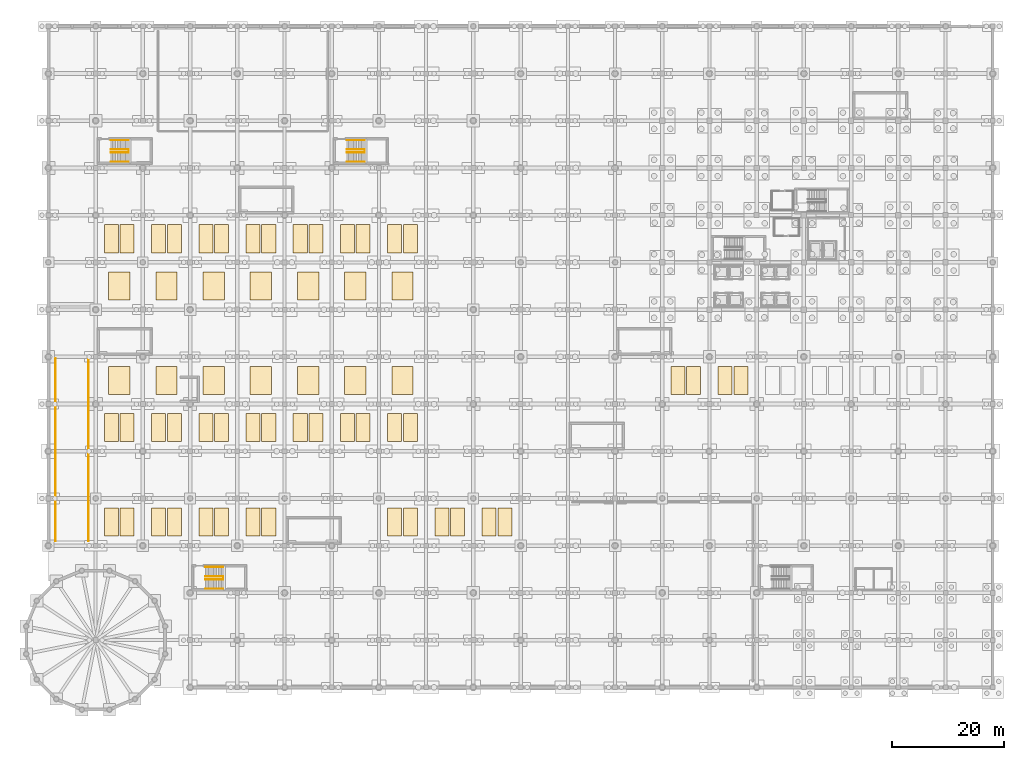
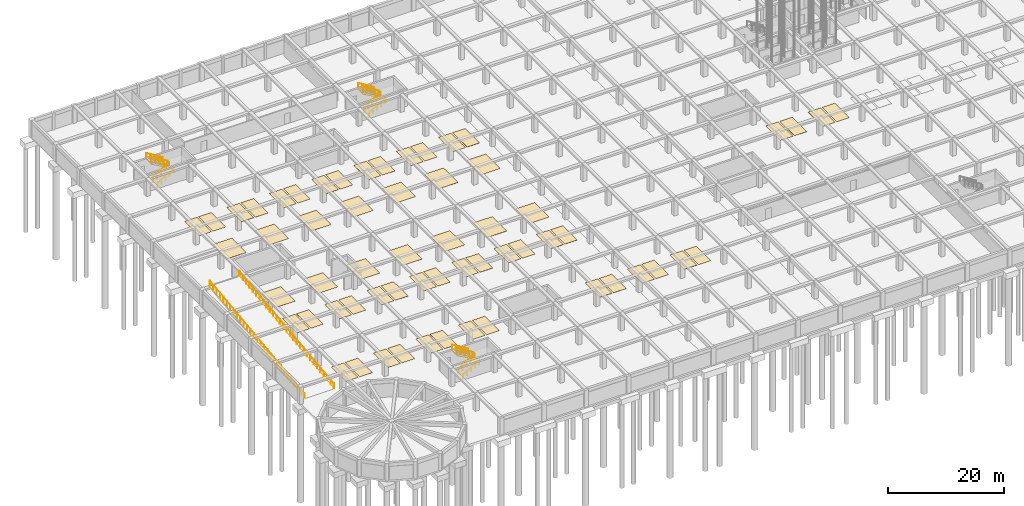
# One storey, part 45 of 47: 60 coverings, 11 railings.
"""IFC4 building model written with IfcOpenShell, lengths in metres."""

from ifc_helpers import new_model, si_unit, direction, frame, origin, origin_2d, place, context, subcontext, project, spatial, rectangle, circle, extrude, material, layer, layer_set, type_object, element, save


model = new_model("IFC4")

# Units and contexts
model_context = context("Model", 3, precision=1e-05, world=origin(), true_north=direction((0.0, 1.0)))
body_context = subcontext(model_context, "Body", "Model", "MODEL_VIEW")
ifc_project = project(units=[si_unit("LENGTHUNIT", "METRE"), si_unit("AREAUNIT", "SQUARE_METRE"), si_unit("VOLUMEUNIT", "CUBIC_METRE"), si_unit("PLANEANGLEUNIT", "RADIAN"), si_unit("MASSUNIT", "GRAM", prefix="KILO")], contexts=[model_context])

# Site, building, storey
site_placement = place(None, origin())
site = spatial("IfcSite", under=ifc_project, at=site_placement, CompositionType="ELEMENT")
building_placement = place(site_placement, origin())
building = spatial("IfcBuilding", under=site, at=building_placement, Name="Almacenes y Pasaje Nevantli", CompositionType="ELEMENT")
storey_placement = place(building_placement, frame((0.0, 0.0, -8.10009765625)))
storey = spatial("IfcBuildingStorey", under=building, at=storey_placement, Name="B02", CompositionType="ELEMENT", Elevation=-8.10009765625)

# Coverings
ifc_material_1 = material(Name="Thermoplastic Accessible Stall Marking", Category="stone")
ifc_layer_1 = layer(ifc_material_1, 0.010009765625)
ifc_layer_set_1 = layer_set([ifc_layer_1], Name="Thermoplastic Accessible Stall Marking")
covering_type_1 = type_object("IfcCoveringType", Name="COV-PARK-ACC", PredefinedType="FLOORING", material=ifc_layer_set_1)
for number, where, z_axis, x_axis, name in (
    (1, (12.60009765625, 54.60009765625, 0.0), (0.0, 0.0, 1.0), (1.0, 0.0, 0.0), "B02 Accessible Parking Bay Marking #1"),
    (2, (21.0, 54.60009765625, 0.0), (0.0, 0.0, 1.0), (1.0, 0.0, 0.0), "B02 Accessible Parking Bay Marking #2"),
    (3, (29.39990234375, 54.60009765625, 0.0), (0.0, 0.0, 1.0), (1.0, 0.0, 0.0), "B02 Accessible Parking Bay Marking #3"),
    (4, (37.800048828125, 54.60009765625, 0.0), (0.0, 0.0, 1.0), (1.0, 0.0, 0.0), "B02 Accessible Parking Bay Marking #4"),
    (5, (46.199951171875, 54.60009765625, 0.0), (0.0, 0.0, 1.0), (1.0, 0.0, 0.0), "B02 Accessible Parking Bay Marking #5"),
    (6, (54.60009765625, 54.60009765625, 0.0), (0.0, 0.0, 1.0), (1.0, 0.0, 0.0), "B02 Accessible Parking Bay Marking #6"),
    (7, (63.0, 54.60009765625, 0.0), (0.0, 0.0, 1.0), (1.0, 0.0, 0.0), "B02 Accessible Parking Bay Marking #7"),
    (8, (12.60009765625, 71.39990234375, 0.0), (0.0, 0.0, 1.0), (1.0, 0.0, 0.0), "B02 Accessible Parking Bay Marking #8"),
    (9, (21.0, 71.39990234375, 0.0), (0.0, 0.0, 1.0), (1.0, 0.0, 0.0), "B02 Accessible Parking Bay Marking #9"),
    (10, (29.39990234375, 71.39990234375, 0.0), (0.0, 0.0, 1.0), (1.0, 0.0, 0.0), "B02 Accessible Parking Bay Marking #10"),
    (11, (37.800048828125, 71.39990234375, 0.0), (0.0, 0.0, 1.0), (1.0, 0.0, 0.0), "B02 Accessible Parking Bay Marking #11"),
    (12, (46.199951171875, 71.39990234375, 0.0), (0.0, 0.0, 1.0), (1.0, 0.0, 0.0), "B02 Accessible Parking Bay Marking #12"),
    (13, (54.60009765625, 71.39990234375, 0.0), (0.0, 0.0, 1.0), (1.0, 0.0, 0.0), "B02 Accessible Parking Bay Marking #13"),
    (14, (63.0, 71.39990234375, 0.0), (0.0, 0.0, 1.0), (1.0, 0.0, 0.0), "B02 Accessible Parking Bay Marking #14"),
):
    element("IfcCovering", number, at=place(storey_placement, frame(where, z_axis=z_axis, x_axis=x_axis)), inside=storey, type_object=covering_type_1, Name=name, PredefinedType="FLOORING", context=body_context, shape_type="SweptSolid", body=[
        extrude(rectangle(XDim=3.800048828125, YDim=5.0, at=origin_2d()), origin(), (0.0, 0.0, 1.0), 0.010009765625),
    ])
ifc_material_2 = material(Name="Thermoplastic Traffic Deck Marking", Category="stone")
ifc_layer_2 = layer(ifc_material_2, 0.010009765625)
ifc_layer_set_2 = layer_set([ifc_layer_2], Name="Thermoplastic Traffic Deck Marking")
covering_type_2 = type_object("IfcCoveringType", Name="COV-PARK-BAY", PredefinedType="FLOORING", material=ifc_layer_set_2)
for number, where, z_axis, x_axis, name in (
    (15, (11.199951171875, 29.39990234375, 0.0), (0.0, 0.0, 1.0), (1.0, 0.0, 0.0), "B02 Underground Parking Bay Marking #1"),
    (16, (14.0, 29.39990234375, 0.0), (0.0, 0.0, 1.0), (1.0, 0.0, 0.0), "B02 Underground Parking Bay Marking #2"),
    (17, (19.60009765625, 29.39990234375, 0.0), (0.0, 0.0, 1.0), (1.0, 0.0, 0.0), "B02 Underground Parking Bay Marking #3"),
    (18, (22.39990234375, 29.39990234375, 0.0), (0.0, 0.0, 1.0), (1.0, 0.0, 0.0), "B02 Underground Parking Bay Marking #4"),
    (19, (28.0, 29.39990234375, 0.0), (0.0, 0.0, 1.0), (1.0, 0.0, 0.0), "B02 Underground Parking Bay Marking #5"),
    (20, (30.800048828125, 29.39990234375, 0.0), (0.0, 0.0, 1.0), (1.0, 0.0, 0.0), "B02 Underground Parking Bay Marking #6"),
    (21, (36.39990234375, 29.39990234375, 0.0), (0.0, 0.0, 1.0), (1.0, 0.0, 0.0), "B02 Underground Parking Bay Marking #7"),
    (22, (39.199951171875, 29.39990234375, 0.0), (0.0, 0.0, 1.0), (1.0, 0.0, 0.0), "B02 Underground Parking Bay Marking #8"),
    (23, (61.60009765625, 29.39990234375, 0.0), (0.0, 0.0, 1.0), (1.0, 0.0, 0.0), "B02 Underground Parking Bay Marking #9"),
    (24, (64.39990234375, 29.39990234375, 0.0), (0.0, 0.0, 1.0), (1.0, 0.0, 0.0), "B02 Underground Parking Bay Marking #10"),
    (25, (70.0, 29.39990234375, 0.0), (0.0, 0.0, 1.0), (1.0, 0.0, 0.0), "B02 Underground Parking Bay Marking #11"),
    (26, (72.800048828125, 29.39990234375, 0.0), (0.0, 0.0, 1.0), (1.0, 0.0, 0.0), "B02 Underground Parking Bay Marking #12"),
    (27, (78.39990234375, 29.39990234375, 0.0), (0.0, 0.0, 1.0), (1.0, 0.0, 0.0), "B02 Underground Parking Bay Marking #13"),
    (28, (81.199951171875, 29.39990234375, 0.0), (0.0, 0.0, 1.0), (1.0, 0.0, 0.0), "B02 Underground Parking Bay Marking #14"),
    (29, (11.199951171875, 46.199951171875, 0.0), (0.0, 0.0, 1.0), (1.0, 0.0, 0.0), "B02 Underground Parking Bay Marking #15"),
    (30, (14.0, 46.199951171875, 0.0), (0.0, 0.0, 1.0), (1.0, 0.0, 0.0), "B02 Underground Parking Bay Marking #16"),
    (31, (19.60009765625, 46.199951171875, 0.0), (0.0, 0.0, 1.0), (1.0, 0.0, 0.0), "B02 Underground Parking Bay Marking #17"),
    (32, (22.39990234375, 46.199951171875, 0.0), (0.0, 0.0, 1.0), (1.0, 0.0, 0.0), "B02 Underground Parking Bay Marking #18"),
    (33, (28.0, 46.199951171875, 0.0), (0.0, 0.0, 1.0), (1.0, 0.0, 0.0), "B02 Underground Parking Bay Marking #19"),
    (34, (30.800048828125, 46.199951171875, 0.0), (0.0, 0.0, 1.0), (1.0, 0.0, 0.0), "B02 Underground Parking Bay Marking #20"),
    (35, (36.39990234375, 46.199951171875, 0.0), (0.0, 0.0, 1.0), (1.0, 0.0, 0.0), "B02 Underground Parking Bay Marking #21"),
    (36, (39.199951171875, 46.199951171875, 0.0), (0.0, 0.0, 1.0), (1.0, 0.0, 0.0), "B02 Underground Parking Bay Marking #22"),
    (37, (44.800048828125, 46.199951171875, 0.0), (0.0, 0.0, 1.0), (1.0, 0.0, 0.0), "B02 Underground Parking Bay Marking #23"),
    (38, (47.60009765625, 46.199951171875, 0.0), (0.0, 0.0, 1.0), (1.0, 0.0, 0.0), "B02 Underground Parking Bay Marking #24"),
    (39, (53.199951171875, 46.199951171875, 0.0), (0.0, 0.0, 1.0), (1.0, 0.0, 0.0), "B02 Underground Parking Bay Marking #25"),
    (40, (56.0, 46.199951171875, 0.0), (0.0, 0.0, 1.0), (1.0, 0.0, 0.0), "B02 Underground Parking Bay Marking #26"),
    (41, (61.60009765625, 46.199951171875, 0.0), (0.0, 0.0, 1.0), (1.0, 0.0, 0.0), "B02 Underground Parking Bay Marking #27"),
    (42, (64.39990234375, 46.199951171875, 0.0), (0.0, 0.0, 1.0), (1.0, 0.0, 0.0), "B02 Underground Parking Bay Marking #28"),
    (43, (11.199951171875, 79.800048828125, 0.0), (0.0, 0.0, 1.0), (1.0, 0.0, 0.0), "B02 Underground Parking Bay Marking #29"),
    (44, (14.0, 79.800048828125, 0.0), (0.0, 0.0, 1.0), (1.0, 0.0, 0.0), "B02 Underground Parking Bay Marking #30"),
    (45, (19.60009765625, 79.800048828125, 0.0), (0.0, 0.0, 1.0), (1.0, 0.0, 0.0), "B02 Underground Parking Bay Marking #31"),
    (46, (22.39990234375, 79.800048828125, 0.0), (0.0, 0.0, 1.0), (1.0, 0.0, 0.0), "B02 Underground Parking Bay Marking #32"),
    (47, (28.0, 79.800048828125, 0.0), (0.0, 0.0, 1.0), (1.0, 0.0, 0.0), "B02 Underground Parking Bay Marking #33"),
    (48, (30.800048828125, 79.800048828125, 0.0), (0.0, 0.0, 1.0), (1.0, 0.0, 0.0), "B02 Underground Parking Bay Marking #34"),
    (49, (36.39990234375, 79.800048828125, 0.0), (0.0, 0.0, 1.0), (1.0, 0.0, 0.0), "B02 Underground Parking Bay Marking #35"),
    (50, (39.199951171875, 79.800048828125, 0.0), (0.0, 0.0, 1.0), (1.0, 0.0, 0.0), "B02 Underground Parking Bay Marking #36"),
    (51, (44.800048828125, 79.800048828125, 0.0), (0.0, 0.0, 1.0), (1.0, 0.0, 0.0), "B02 Underground Parking Bay Marking #37"),
    (52, (47.60009765625, 79.800048828125, 0.0), (0.0, 0.0, 1.0), (1.0, 0.0, 0.0), "B02 Underground Parking Bay Marking #38"),
    (53, (53.199951171875, 79.800048828125, 0.0), (0.0, 0.0, 1.0), (1.0, 0.0, 0.0), "B02 Underground Parking Bay Marking #39"),
    (54, (56.0, 79.800048828125, 0.0), (0.0, 0.0, 1.0), (1.0, 0.0, 0.0), "B02 Underground Parking Bay Marking #40"),
    (55, (61.60009765625, 79.800048828125, 0.0), (0.0, 0.0, 1.0), (1.0, 0.0, 0.0), "B02 Underground Parking Bay Marking #41"),
    (56, (64.39990234375, 79.800048828125, 0.0), (0.0, 0.0, 1.0), (1.0, 0.0, 0.0), "B02 Underground Parking Bay Marking #42"),
    (57, (112.0, 54.60009765625, 0.0), (0.0, 0.0, 1.0), (1.0, 0.0, 0.0), "B02 Underground Parking Bay Marking #43"),
    (58, (114.800048828125, 54.60009765625, 0.0), (0.0, 0.0, 1.0), (1.0, 0.0, 0.0), "B02 Underground Parking Bay Marking #44"),
    (59, (120.39990234375, 54.60009765625, 0.0), (0.0, 0.0, 1.0), (1.0, 0.0, 0.0), "B02 Underground Parking Bay Marking #45"),
    (60, (123.199951171875, 54.60009765625, 0.0), (0.0, 0.0, 1.0), (1.0, 0.0, 0.0), "B02 Underground Parking Bay Marking #46"),
):
    element("IfcCovering", number, at=place(storey_placement, frame(where, z_axis=z_axis, x_axis=x_axis)), inside=storey, type_object=covering_type_2, Name=name, PredefinedType="FLOORING", context=body_context, shape_type="SweptSolid", body=[
        extrude(rectangle(XDim=2.5, YDim=5.0, at=origin_2d()), origin(), (0.0, 0.0, 1.0), 0.010009765625),
    ])

# Railings
ifc_material_3 = material(Name="Brushed Stainless Steel and Tempered Safety Glass", Category="steel")
railing_type_1 = type_object("IfcRailingType", Name="RL-GUARD-1100", PredefinedType="BALUSTRADE", material=ifc_material_3)
railing_1_placement = place(storey_placement, frame((11.10009765625, 95.159912109375, 0.0)))
element("IfcRailing", 61, at=railing_1_placement, inside=storey, type_object=railing_type_1, Name="B02 Stair ST-03 Inner Well Guard Balustrade", PredefinedType="BALUSTRADE", context=body_context, shape_type="SweptSolid", body=[
    extrude(circle(Radius=0.02392578125, at=origin_2d()), frame((0.025634765625, 0.0, 1.1416015625), z_axis=(0.853188201146, 0.0, 0.521603195374), x_axis=(0.0, 1.0, 0.0)), (0.0, 0.0, 1.0), 3.678955078125),
    extrude(circle(Radius=0.02392578125, at=origin_2d()), frame((3.18994140625, 0.030029296875, 3.076171875), z_axis=(0.0, 1.0, 0.0), x_axis=(-1.0, 0.0, 0.0)), (0.0, 0.0, 1.0), 0.469970703125),
    extrude(circle(Radius=0.02392578125, at=origin_2d()), frame((3.164306640625, 0.530029296875, 3.091796875), z_axis=(-0.853217260254, 0.0, 0.521555660313), x_axis=(0.0, -1.0, 0.0)), (0.0, 0.0, 1.0), 3.6787109375),
    extrude(circle(Radius=0.02099609375, at=origin_2d()), origin(), (0.0, 0.0, 1.0), 1.096923828125),
    extrude(circle(Radius=0.02099609375, at=origin_2d()), frame((0.79736328125, 0.0, 0.487548828125)), (0.0, 0.0, 1.0), 1.096923828125),
    extrude(circle(Radius=0.02099609375, at=origin_2d()), frame((1.594970703125, 0.0, 0.97509765625)), (0.0, 0.0, 1.0), 1.096923828125),
    extrude(circle(Radius=0.02099609375, at=origin_2d()), frame((2.392578125, 0.0, 1.462646484375)), (0.0, 0.0, 1.0), 1.096923828125),
    extrude(circle(Radius=0.02099609375, at=origin_2d()), frame((3.18994140625, 0.0, 1.9501953125)), (0.0, 0.0, 1.0), 1.096923828125),
    extrude(circle(Radius=0.02099609375, at=origin_2d()), frame((3.18994140625, 0.530029296875, 1.9501953125)), (0.0, 0.0, 1.0), 1.096923828125),
    extrude(circle(Radius=0.02099609375, at=origin_2d()), frame((2.392578125, 0.530029296875, 2.437744140625)), (0.0, 0.0, 1.0), 1.096923828125),
    extrude(circle(Radius=0.02099609375, at=origin_2d()), frame((1.594970703125, 0.530029296875, 2.92529296875)), (0.0, 0.0, 1.0), 1.096923828125),
    extrude(circle(Radius=0.02099609375, at=origin_2d()), frame((0.79736328125, 0.530029296875, 3.41259765625)), (0.0, 0.0, 1.0), 1.096923828125),
    extrude(circle(Radius=0.02099609375, at=origin_2d()), frame((0.0, 0.530029296875, 3.900146484375)), (0.0, 0.0, 1.0), 1.096923828125),
])
railing_2_placement = place(storey_placement, frame((27.89990234375, 19.2099609375, 0.0)))
element("IfcRailing", 62, at=railing_2_placement, inside=storey, type_object=railing_type_1, Name="B02 Stair ST-04 Inner Well Guard Balustrade", PredefinedType="BALUSTRADE", context=body_context, shape_type="SweptSolid", body=[
    extrude(circle(Radius=0.02392578125, at=origin_2d()), frame((0.025634765625, 0.0, 1.1416015625), z_axis=(0.853205965376, 0.0, 0.521574137248), x_axis=(0.0, 1.0, 0.0)), (0.0, 0.0, 1.0), 3.678955078125),
    extrude(circle(Radius=0.02392578125, at=origin_2d()), frame((3.190185546875, 0.030029296875, 3.076171875), z_axis=(0.0, 1.0, 0.0), x_axis=(-1.0, 0.0, 0.0)), (0.0, 0.0, 1.0), 0.469970703125),
    extrude(circle(Radius=0.02392578125, at=origin_2d()), frame((3.16455078125, 0.530029296875, 3.091796875), z_axis=(-0.853235021851, 0.0, 0.521526602856), x_axis=(0.0, -1.0, 0.0)), (0.0, 0.0, 1.0), 3.678955078125),
    extrude(circle(Radius=0.02099609375, at=origin_2d()), origin(), (0.0, 0.0, 1.0), 1.096923828125),
    extrude(circle(Radius=0.02099609375, at=origin_2d()), frame((0.797607421875, 0.0, 0.487548828125)), (0.0, 0.0, 1.0), 1.096923828125),
    extrude(circle(Radius=0.02099609375, at=origin_2d()), frame((1.59521484375, 0.0, 0.97509765625)), (0.0, 0.0, 1.0), 1.096923828125),
    extrude(circle(Radius=0.02099609375, at=origin_2d()), frame((2.392578125, 0.0, 1.462646484375)), (0.0, 0.0, 1.0), 1.096923828125),
    extrude(circle(Radius=0.02099609375, at=origin_2d()), frame((3.190185546875, 0.0, 1.9501953125)), (0.0, 0.0, 1.0), 1.096923828125),
    extrude(circle(Radius=0.02099609375, at=origin_2d()), frame((3.190185546875, 0.530029296875, 1.9501953125)), (0.0, 0.0, 1.0), 1.096923828125),
    extrude(circle(Radius=0.02099609375, at=origin_2d()), frame((2.392578125, 0.530029296875, 2.437744140625)), (0.0, 0.0, 1.0), 1.096923828125),
    extrude(circle(Radius=0.02099609375, at=origin_2d()), frame((1.59521484375, 0.530029296875, 2.92529296875)), (0.0, 0.0, 1.0), 1.096923828125),
    extrude(circle(Radius=0.02099609375, at=origin_2d()), frame((0.797607421875, 0.530029296875, 3.41259765625)), (0.0, 0.0, 1.0), 1.096923828125),
    extrude(circle(Radius=0.02099609375, at=origin_2d()), frame((0.0, 0.530029296875, 3.900146484375)), (0.0, 0.0, 1.0), 1.096923828125),
])
railing_3_placement = place(storey_placement, frame((53.10009765625, 95.159912109375, 0.0)))
element("IfcRailing", 63, at=railing_3_placement, inside=storey, type_object=railing_type_1, Name="B02 Stair ST-05 Inner Well Guard Balustrade", PredefinedType="BALUSTRADE", context=body_context, shape_type="SweptSolid", body=[
    extrude(circle(Radius=0.02392578125, at=origin_2d()), frame((0.025634765625, 0.0, 1.1416015625), z_axis=(0.853188201146, 0.0, 0.521603195374), x_axis=(0.0, 1.0, 0.0)), (0.0, 0.0, 1.0), 3.678955078125),
    extrude(circle(Radius=0.02392578125, at=origin_2d()), frame((3.18994140625, 0.030029296875, 3.076171875), z_axis=(0.0, 1.0, 0.0), x_axis=(-1.0, 0.0, 0.0)), (0.0, 0.0, 1.0), 0.469970703125),
    extrude(circle(Radius=0.02392578125, at=origin_2d()), frame((3.164306640625, 0.530029296875, 3.091796875), z_axis=(-0.853217260254, 0.0, 0.521555660313), x_axis=(0.0, -1.0, 0.0)), (0.0, 0.0, 1.0), 3.6787109375),
    extrude(circle(Radius=0.02099609375, at=origin_2d()), origin(), (0.0, 0.0, 1.0), 1.096923828125),
    extrude(circle(Radius=0.02099609375, at=origin_2d()), frame((0.79736328125, 0.0, 0.487548828125)), (0.0, 0.0, 1.0), 1.096923828125),
    extrude(circle(Radius=0.02099609375, at=origin_2d()), frame((1.594970703125, 0.0, 0.97509765625)), (0.0, 0.0, 1.0), 1.096923828125),
    extrude(circle(Radius=0.02099609375, at=origin_2d()), frame((2.392578125, 0.0, 1.462646484375)), (0.0, 0.0, 1.0), 1.096923828125),
    extrude(circle(Radius=0.02099609375, at=origin_2d()), frame((3.18994140625, 0.0, 1.9501953125)), (0.0, 0.0, 1.0), 1.096923828125),
    extrude(circle(Radius=0.02099609375, at=origin_2d()), frame((3.18994140625, 0.530029296875, 1.9501953125)), (0.0, 0.0, 1.0), 1.096923828125),
    extrude(circle(Radius=0.02099609375, at=origin_2d()), frame((2.392578125, 0.530029296875, 2.437744140625)), (0.0, 0.0, 1.0), 1.096923828125),
    extrude(circle(Radius=0.02099609375, at=origin_2d()), frame((1.594970703125, 0.530029296875, 2.92529296875)), (0.0, 0.0, 1.0), 1.096923828125),
    extrude(circle(Radius=0.02099609375, at=origin_2d()), frame((0.79736328125, 0.530029296875, 3.41259765625)), (0.0, 0.0, 1.0), 1.096923828125),
    extrude(circle(Radius=0.02099609375, at=origin_2d()), frame((0.0, 0.530029296875, 3.900146484375)), (0.0, 0.0, 1.0), 1.096923828125),
])
railing_4_placement = place(storey_placement, frame((1.280029296875, 26.0, 0.0)))
element("IfcRailing", 64, at=railing_4_placement, inside=storey, type_object=railing_type_1, Name="B02 Vehicular Ramp RP-01 West Curb Guard", PredefinedType="BALUSTRADE", context=body_context, shape_type="SweptSolid", body=[
    extrude(circle(Radius=0.02392578125, at=origin_2d()), frame((0.0, 0.02978515625, 1.12939453125), z_axis=(0.0, 0.992876309088, 0.119149632194), x_axis=(-1.0, 0.0, 0.0)), (0.0, 0.0, 1.0), 32.673095703125),
    extrude(circle(Radius=0.02099609375, at=origin_2d()), origin(), (0.0, 0.0, 1.0), 1.096923828125),
    extrude(circle(Radius=0.02099609375, at=origin_2d()), frame((0.0, 1.16064453125, 0.139404296875)), (0.0, 0.0, 1.0), 1.096923828125),
    extrude(circle(Radius=0.02099609375, at=origin_2d()), frame((0.0, 2.321533203125, 0.278564453125)), (0.0, 0.0, 1.0), 1.096923828125),
    extrude(circle(Radius=0.02099609375, at=origin_2d()), frame((0.0, 3.482177734375, 0.41796875)), (0.0, 0.0, 1.0), 1.096923828125),
    extrude(circle(Radius=0.02099609375, at=origin_2d()), frame((0.0, 4.642822265625, 0.55712890625)), (0.0, 0.0, 1.0), 1.096923828125),
    extrude(circle(Radius=0.02099609375, at=origin_2d()), frame((0.0, 5.803466796875, 0.696533203125)), (0.0, 0.0, 1.0), 1.096923828125),
    extrude(circle(Radius=0.02099609375, at=origin_2d()), frame((0.0, 6.96435546875, 0.835693359375)), (0.0, 0.0, 1.0), 1.096923828125),
    extrude(circle(Radius=0.02099609375, at=origin_2d()), frame((0.0, 8.125, 0.97509765625)), (0.0, 0.0, 1.0), 1.096923828125),
    extrude(circle(Radius=0.02099609375, at=origin_2d()), frame((0.0, 9.28564453125, 1.1142578125)), (0.0, 0.0, 1.0), 1.096923828125),
    extrude(circle(Radius=0.02099609375, at=origin_2d()), frame((0.0, 10.446533203125, 1.253662109375)), (0.0, 0.0, 1.0), 1.096923828125),
    extrude(circle(Radius=0.02099609375, at=origin_2d()), frame((0.0, 11.607177734375, 1.392822265625)), (0.0, 0.0, 1.0), 1.096923828125),
    extrude(circle(Radius=0.02099609375, at=origin_2d()), frame((0.0, 12.767822265625, 1.5322265625)), (0.0, 0.0, 1.0), 1.096923828125),
    extrude(circle(Radius=0.02099609375, at=origin_2d()), frame((0.0, 13.928466796875, 1.67138671875)), (0.0, 0.0, 1.0), 1.096923828125),
    extrude(circle(Radius=0.02099609375, at=origin_2d()), frame((0.0, 15.08935546875, 1.810791015625)), (0.0, 0.0, 1.0), 1.096923828125),
    extrude(circle(Radius=0.02099609375, at=origin_2d()), frame((0.0, 16.25, 1.9501953125)), (0.0, 0.0, 1.0), 1.096923828125),
    extrude(circle(Radius=0.02099609375, at=origin_2d()), frame((0.0, 17.41064453125, 2.08935546875)), (0.0, 0.0, 1.0), 1.096923828125),
    extrude(circle(Radius=0.02099609375, at=origin_2d()), frame((0.0, 18.571533203125, 2.228759765625)), (0.0, 0.0, 1.0), 1.096923828125),
    extrude(circle(Radius=0.02099609375, at=origin_2d()), frame((0.0, 19.732177734375, 2.367919921875)), (0.0, 0.0, 1.0), 1.096923828125),
    extrude(circle(Radius=0.02099609375, at=origin_2d()), frame((0.0, 20.892822265625, 2.50732421875)), (0.0, 0.0, 1.0), 1.096923828125),
    extrude(circle(Radius=0.02099609375, at=origin_2d()), frame((0.0, 22.053466796875, 2.646484375)), (0.0, 0.0, 1.0), 1.096923828125),
    extrude(circle(Radius=0.02099609375, at=origin_2d()), frame((0.0, 23.21435546875, 2.785888671875)), (0.0, 0.0, 1.0), 1.096923828125),
    extrude(circle(Radius=0.02099609375, at=origin_2d()), frame((0.0, 24.375, 2.925048828125)), (0.0, 0.0, 1.0), 1.096923828125),
    extrude(circle(Radius=0.02099609375, at=origin_2d()), frame((0.0, 25.53564453125, 3.064453125)), (0.0, 0.0, 1.0), 1.096923828125),
    extrude(circle(Radius=0.02099609375, at=origin_2d()), frame((0.0, 26.696533203125, 3.20361328125)), (0.0, 0.0, 1.0), 1.096923828125),
    extrude(circle(Radius=0.02099609375, at=origin_2d()), frame((0.0, 27.857177734375, 3.343017578125)), (0.0, 0.0, 1.0), 1.096923828125),
    extrude(circle(Radius=0.02099609375, at=origin_2d()), frame((0.0, 29.017822265625, 3.482177734375)), (0.0, 0.0, 1.0), 1.096923828125),
    extrude(circle(Radius=0.02099609375, at=origin_2d()), frame((0.0, 30.178466796875, 3.62158203125)), (0.0, 0.0, 1.0), 1.096923828125),
    extrude(circle(Radius=0.02099609375, at=origin_2d()), frame((0.0, 31.33935546875, 3.7607421875)), (0.0, 0.0, 1.0), 1.096923828125),
    extrude(circle(Radius=0.02099609375, at=origin_2d()), frame((0.0, 32.5, 3.900146484375)), (0.0, 0.0, 1.0), 1.096923828125),
])
railing_5_placement = place(storey_placement, frame((7.1201171875, 26.0, 0.0)))
element("IfcRailing", 65, at=railing_5_placement, inside=storey, type_object=railing_type_1, Name="B02 Vehicular Ramp RP-01 East Curb Guard", PredefinedType="BALUSTRADE", context=body_context, shape_type="SweptSolid", body=[
    extrude(circle(Radius=0.02392578125, at=origin_2d()), frame((0.0, 0.02978515625, 1.12939453125), z_axis=(0.0, 0.992876309088, 0.119149632194), x_axis=(-1.0, 0.0, 0.0)), (0.0, 0.0, 1.0), 32.673095703125),
    extrude(circle(Radius=0.02099609375, at=origin_2d()), origin(), (0.0, 0.0, 1.0), 1.096923828125),
    extrude(circle(Radius=0.02099609375, at=origin_2d()), frame((0.0, 1.16064453125, 0.139404296875)), (0.0, 0.0, 1.0), 1.096923828125),
    extrude(circle(Radius=0.02099609375, at=origin_2d()), frame((0.0, 2.321533203125, 0.278564453125)), (0.0, 0.0, 1.0), 1.096923828125),
    extrude(circle(Radius=0.02099609375, at=origin_2d()), frame((0.0, 3.482177734375, 0.41796875)), (0.0, 0.0, 1.0), 1.096923828125),
    extrude(circle(Radius=0.02099609375, at=origin_2d()), frame((0.0, 4.642822265625, 0.55712890625)), (0.0, 0.0, 1.0), 1.096923828125),
    extrude(circle(Radius=0.02099609375, at=origin_2d()), frame((0.0, 5.803466796875, 0.696533203125)), (0.0, 0.0, 1.0), 1.096923828125),
    extrude(circle(Radius=0.02099609375, at=origin_2d()), frame((0.0, 6.96435546875, 0.835693359375)), (0.0, 0.0, 1.0), 1.096923828125),
    extrude(circle(Radius=0.02099609375, at=origin_2d()), frame((0.0, 8.125, 0.97509765625)), (0.0, 0.0, 1.0), 1.096923828125),
    extrude(circle(Radius=0.02099609375, at=origin_2d()), frame((0.0, 9.28564453125, 1.1142578125)), (0.0, 0.0, 1.0), 1.096923828125),
    extrude(circle(Radius=0.02099609375, at=origin_2d()), frame((0.0, 10.446533203125, 1.253662109375)), (0.0, 0.0, 1.0), 1.096923828125),
    extrude(circle(Radius=0.02099609375, at=origin_2d()), frame((0.0, 11.607177734375, 1.392822265625)), (0.0, 0.0, 1.0), 1.096923828125),
    extrude(circle(Radius=0.02099609375, at=origin_2d()), frame((0.0, 12.767822265625, 1.5322265625)), (0.0, 0.0, 1.0), 1.096923828125),
    extrude(circle(Radius=0.02099609375, at=origin_2d()), frame((0.0, 13.928466796875, 1.67138671875)), (0.0, 0.0, 1.0), 1.096923828125),
    extrude(circle(Radius=0.02099609375, at=origin_2d()), frame((0.0, 15.08935546875, 1.810791015625)), (0.0, 0.0, 1.0), 1.096923828125),
    extrude(circle(Radius=0.02099609375, at=origin_2d()), frame((0.0, 16.25, 1.9501953125)), (0.0, 0.0, 1.0), 1.096923828125),
    extrude(circle(Radius=0.02099609375, at=origin_2d()), frame((0.0, 17.41064453125, 2.08935546875)), (0.0, 0.0, 1.0), 1.096923828125),
    extrude(circle(Radius=0.02099609375, at=origin_2d()), frame((0.0, 18.571533203125, 2.228759765625)), (0.0, 0.0, 1.0), 1.096923828125),
    extrude(circle(Radius=0.02099609375, at=origin_2d()), frame((0.0, 19.732177734375, 2.367919921875)), (0.0, 0.0, 1.0), 1.096923828125),
    extrude(circle(Radius=0.02099609375, at=origin_2d()), frame((0.0, 20.892822265625, 2.50732421875)), (0.0, 0.0, 1.0), 1.096923828125),
    extrude(circle(Radius=0.02099609375, at=origin_2d()), frame((0.0, 22.053466796875, 2.646484375)), (0.0, 0.0, 1.0), 1.096923828125),
    extrude(circle(Radius=0.02099609375, at=origin_2d()), frame((0.0, 23.21435546875, 2.785888671875)), (0.0, 0.0, 1.0), 1.096923828125),
    extrude(circle(Radius=0.02099609375, at=origin_2d()), frame((0.0, 24.375, 2.925048828125)), (0.0, 0.0, 1.0), 1.096923828125),
    extrude(circle(Radius=0.02099609375, at=origin_2d()), frame((0.0, 25.53564453125, 3.064453125)), (0.0, 0.0, 1.0), 1.096923828125),
    extrude(circle(Radius=0.02099609375, at=origin_2d()), frame((0.0, 26.696533203125, 3.20361328125)), (0.0, 0.0, 1.0), 1.096923828125),
    extrude(circle(Radius=0.02099609375, at=origin_2d()), frame((0.0, 27.857177734375, 3.343017578125)), (0.0, 0.0, 1.0), 1.096923828125),
    extrude(circle(Radius=0.02099609375, at=origin_2d()), frame((0.0, 29.017822265625, 3.482177734375)), (0.0, 0.0, 1.0), 1.096923828125),
    extrude(circle(Radius=0.02099609375, at=origin_2d()), frame((0.0, 30.178466796875, 3.62158203125)), (0.0, 0.0, 1.0), 1.096923828125),
    extrude(circle(Radius=0.02099609375, at=origin_2d()), frame((0.0, 31.33935546875, 3.7607421875)), (0.0, 0.0, 1.0), 1.096923828125),
    extrude(circle(Radius=0.02099609375, at=origin_2d()), frame((0.0, 32.5, 3.900146484375)), (0.0, 0.0, 1.0), 1.096923828125),
])
ifc_material_4 = material(Name="Brushed Stainless Steel Tube", Category="steel")
railing_type_2 = type_object("IfcRailingType", Name="RL-HANDRAIL-900", PredefinedType="HANDRAIL", material=ifc_material_4)
railing_6_placement = place(storey_placement, frame((11.10009765625, 93.510009765625, 0.0)))
element("IfcRailing", 66, at=railing_6_placement, inside=storey, type_object=railing_type_2, Name="B02 Stair ST-03 Lower Flight Handrail", PredefinedType="HANDRAIL", context=body_context, shape_type="SweptSolid", body=[
    extrude(circle(Radius=0.02392578125, at=origin_2d()), frame((0.025634765625, 0.0, 0.8916015625), z_axis=(0.853188201146, 0.0, 0.521603195374), x_axis=(0.0, 1.0, 0.0)), (0.0, 0.0, 1.0), 3.678955078125),
    extrude(circle(Radius=0.02099609375, at=origin_2d()), origin(), (0.0, 0.0, 1.0), 0.846923828125),
    extrude(circle(Radius=0.02099609375, at=origin_2d()), frame((0.79736328125, 0.0, 0.487548828125)), (0.0, 0.0, 1.0), 0.846923828125),
    extrude(circle(Radius=0.02099609375, at=origin_2d()), frame((1.594970703125, 0.0, 0.97509765625)), (0.0, 0.0, 1.0), 0.846923828125),
    extrude(circle(Radius=0.02099609375, at=origin_2d()), frame((2.392578125, 0.0, 1.462646484375)), (0.0, 0.0, 1.0), 0.846923828125),
    extrude(circle(Radius=0.02099609375, at=origin_2d()), frame((3.18994140625, 0.0, 1.9501953125)), (0.0, 0.0, 1.0), 0.846923828125),
])
railing_7_placement = place(storey_placement, frame((14.2900390625, 97.340087890625, 1.9501953125)))
element("IfcRailing", 67, at=railing_7_placement, inside=storey, type_object=railing_type_2, Name="B02 Stair ST-03 Upper Flight Handrail", PredefinedType="HANDRAIL", context=body_context, shape_type="SweptSolid", body=[
    extrude(circle(Radius=0.02392578125, at=origin_2d()), frame((-0.025634765625, 0.0, 0.8916015625), z_axis=(-0.853217260254, 0.0, 0.521555660313), x_axis=(0.0, -1.0, 0.0)), (0.0, 0.0, 1.0), 3.6787109375),
    extrude(circle(Radius=0.02099609375, at=origin_2d()), origin(), (0.0, 0.0, 1.0), 0.846923828125),
    extrude(circle(Radius=0.02099609375, at=origin_2d()), frame((-0.79736328125, 0.0, 0.487548828125)), (0.0, 0.0, 1.0), 0.846923828125),
    extrude(circle(Radius=0.02099609375, at=origin_2d()), frame((-1.594970703125, 0.0, 0.97509765625)), (0.0, 0.0, 1.0), 0.846923828125),
    extrude(circle(Radius=0.02099609375, at=origin_2d()), frame((-2.392578125, 0.0, 1.46240234375)), (0.0, 0.0, 1.0), 0.846923828125),
    extrude(circle(Radius=0.02099609375, at=origin_2d()), frame((-3.18994140625, 0.0, 1.949951171875)), (0.0, 0.0, 1.0), 0.846923828125),
])
railing_8_placement = place(storey_placement, frame((27.89990234375, 17.56005859375, 0.0)))
element("IfcRailing", 68, at=railing_8_placement, inside=storey, type_object=railing_type_2, Name="B02 Stair ST-04 Lower Flight Handrail", PredefinedType="HANDRAIL", context=body_context, shape_type="SweptSolid", body=[
    extrude(circle(Radius=0.02392578125, at=origin_2d()), frame((0.025634765625, 0.0, 0.8916015625), z_axis=(0.853205965376, 0.0, 0.521574137248), x_axis=(0.0, 1.0, 0.0)), (0.0, 0.0, 1.0), 3.678955078125),
    extrude(circle(Radius=0.02099609375, at=origin_2d()), origin(), (0.0, 0.0, 1.0), 0.846923828125),
    extrude(circle(Radius=0.02099609375, at=origin_2d()), frame((0.797607421875, 0.0, 0.487548828125)), (0.0, 0.0, 1.0), 0.846923828125),
    extrude(circle(Radius=0.02099609375, at=origin_2d()), frame((1.59521484375, 0.0, 0.97509765625)), (0.0, 0.0, 1.0), 0.846923828125),
    extrude(circle(Radius=0.02099609375, at=origin_2d()), frame((2.392578125, 0.0, 1.462646484375)), (0.0, 0.0, 1.0), 0.846923828125),
    extrude(circle(Radius=0.02099609375, at=origin_2d()), frame((3.190185546875, 0.0, 1.9501953125)), (0.0, 0.0, 1.0), 0.846923828125),
])
railing_9_placement = place(storey_placement, frame((31.090087890625, 21.389892578125, 1.9501953125)))
element("IfcRailing", 69, at=railing_9_placement, inside=storey, type_object=railing_type_2, Name="B02 Stair ST-04 Upper Flight Handrail", PredefinedType="HANDRAIL", context=body_context, shape_type="SweptSolid", body=[
    extrude(circle(Radius=0.02392578125, at=origin_2d()), frame((-0.025634765625, 0.0, 0.8916015625), z_axis=(-0.853235021851, 0.0, 0.521526602856), x_axis=(0.0, -1.0, 0.0)), (0.0, 0.0, 1.0), 3.678955078125),
    extrude(circle(Radius=0.02099609375, at=origin_2d()), origin(), (0.0, 0.0, 1.0), 0.846923828125),
    extrude(circle(Radius=0.02099609375, at=origin_2d()), frame((-0.797607421875, 0.0, 0.487548828125)), (0.0, 0.0, 1.0), 0.846923828125),
    extrude(circle(Radius=0.02099609375, at=origin_2d()), frame((-1.59521484375, 0.0, 0.97509765625)), (0.0, 0.0, 1.0), 0.846923828125),
    extrude(circle(Radius=0.02099609375, at=origin_2d()), frame((-2.392578125, 0.0, 1.46240234375)), (0.0, 0.0, 1.0), 0.846923828125),
    extrude(circle(Radius=0.02099609375, at=origin_2d()), frame((-3.190185546875, 0.0, 1.949951171875)), (0.0, 0.0, 1.0), 0.846923828125),
])
railing_10_placement = place(storey_placement, frame((53.10009765625, 93.510009765625, 0.0)))
element("IfcRailing", 70, at=railing_10_placement, inside=storey, type_object=railing_type_2, Name="B02 Stair ST-05 Lower Flight Handrail", PredefinedType="HANDRAIL", context=body_context, shape_type="SweptSolid", body=[
    extrude(circle(Radius=0.02392578125, at=origin_2d()), frame((0.025634765625, 0.0, 0.8916015625), z_axis=(0.853188201146, 0.0, 0.521603195374), x_axis=(0.0, 1.0, 0.0)), (0.0, 0.0, 1.0), 3.678955078125),
    extrude(circle(Radius=0.02099609375, at=origin_2d()), origin(), (0.0, 0.0, 1.0), 0.846923828125),
    extrude(circle(Radius=0.02099609375, at=origin_2d()), frame((0.79736328125, 0.0, 0.487548828125)), (0.0, 0.0, 1.0), 0.846923828125),
    extrude(circle(Radius=0.02099609375, at=origin_2d()), frame((1.594970703125, 0.0, 0.97509765625)), (0.0, 0.0, 1.0), 0.846923828125),
    extrude(circle(Radius=0.02099609375, at=origin_2d()), frame((2.392578125, 0.0, 1.462646484375)), (0.0, 0.0, 1.0), 0.846923828125),
    extrude(circle(Radius=0.02099609375, at=origin_2d()), frame((3.18994140625, 0.0, 1.9501953125)), (0.0, 0.0, 1.0), 0.846923828125),
])
railing_11_placement = place(storey_placement, frame((56.2900390625, 97.340087890625, 1.9501953125)))
element("IfcRailing", 71, at=railing_11_placement, inside=storey, type_object=railing_type_2, Name="B02 Stair ST-05 Upper Flight Handrail", PredefinedType="HANDRAIL", context=body_context, shape_type="SweptSolid", body=[
    extrude(circle(Radius=0.02392578125, at=origin_2d()), frame((-0.025634765625, 0.0, 0.8916015625), z_axis=(-0.853217260254, 0.0, 0.521555660313), x_axis=(0.0, -1.0, 0.0)), (0.0, 0.0, 1.0), 3.6787109375),
    extrude(circle(Radius=0.02099609375, at=origin_2d()), origin(), (0.0, 0.0, 1.0), 0.846923828125),
    extrude(circle(Radius=0.02099609375, at=origin_2d()), frame((-0.79736328125, 0.0, 0.487548828125)), (0.0, 0.0, 1.0), 0.846923828125),
    extrude(circle(Radius=0.02099609375, at=origin_2d()), frame((-1.594970703125, 0.0, 0.97509765625)), (0.0, 0.0, 1.0), 0.846923828125),
    extrude(circle(Radius=0.02099609375, at=origin_2d()), frame((-2.392578125, 0.0, 1.46240234375)), (0.0, 0.0, 1.0), 0.846923828125),
    extrude(circle(Radius=0.02099609375, at=origin_2d()), frame((-3.18994140625, 0.0, 1.949951171875)), (0.0, 0.0, 1.0), 0.846923828125),
])

save(model, "model.ifc")
